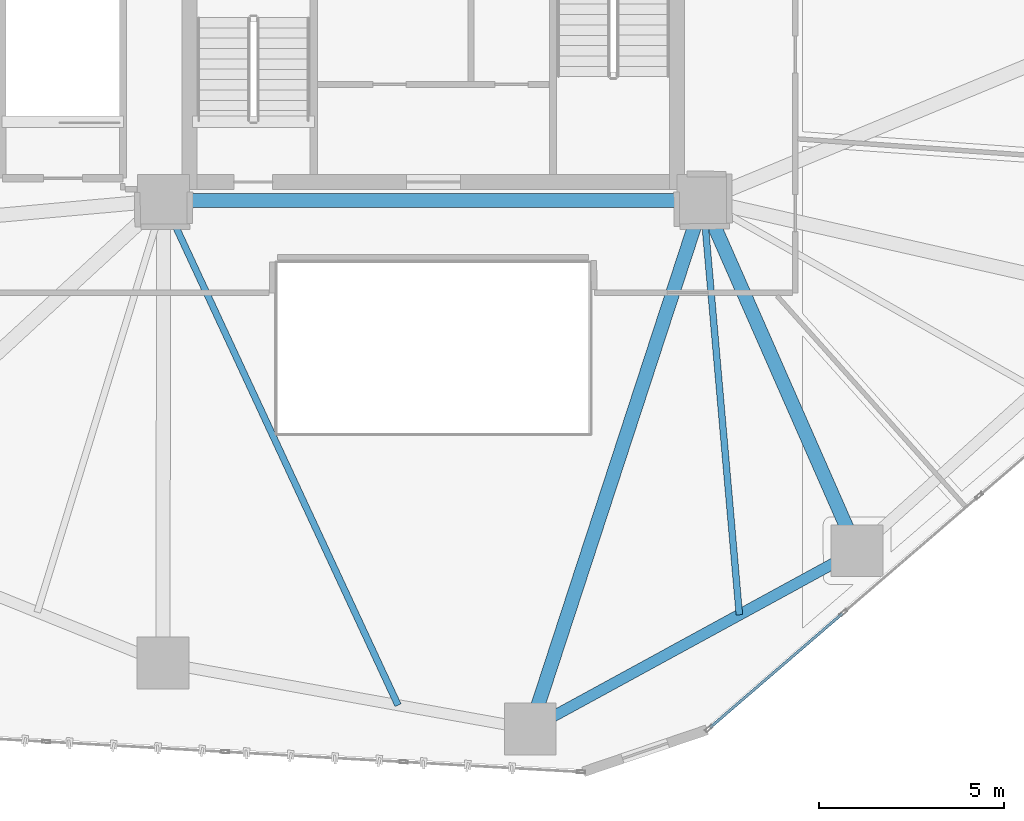
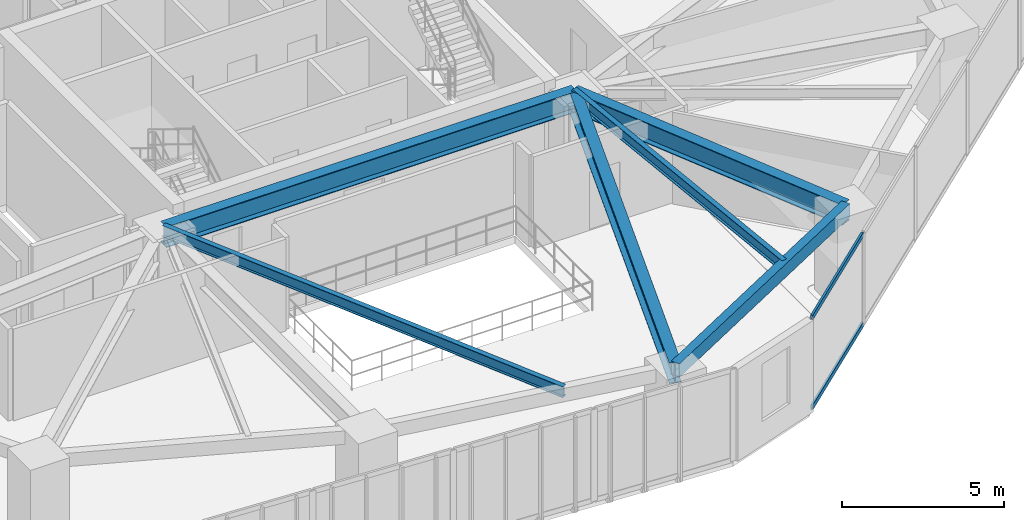
# One storey, part 6 of 24: 6 beams, 2 members, 1 element without a shape of its own.
"""IFC4 building model written with IfcOpenShell, lengths in metres."""

from ifc_helpers import new_model, si_unit, direction, frame, origin, origin_2d, place, context, subcontext, project, spatial, hollow_rectangle, i_section, extrude, source, transform, mapped, material, layer, layer_set, material_profile, profile_set, type_object, type_shapes, element, aggregate, save


model = new_model("IFC4")

# Units and contexts
model_context = context("Model", 3, precision=1e-05, world=origin(), true_north=direction((0.0, 1.0)))
body_context = subcontext(model_context, "Body", "Model", "MODEL_VIEW")
ifc_project = project(units=[si_unit("LENGTHUNIT", "METRE"), si_unit("AREAUNIT", "SQUARE_METRE"), si_unit("VOLUMEUNIT", "CUBIC_METRE"), si_unit("PLANEANGLEUNIT", "RADIAN"), si_unit("MASSUNIT", "GRAM", prefix="KILO")], contexts=[model_context])

# Site, building, storey
site_placement = place(None, origin())
site = spatial("IfcSite", under=ifc_project, at=site_placement, CompositionType="ELEMENT")
building_placement = place(site_placement, origin())
building = spatial("IfcBuilding", under=site, at=building_placement, Name="Talar Marvaseh", CompositionType="ELEMENT")
storey_placement = place(building_placement, frame((0.0, 0.0, 81.0)))
storey = spatial("IfcBuildingStorey", under=building, at=storey_placement, Name="L20", CompositionType="ELEMENT", Elevation=81.0)

# Beams
ifc_material_1 = material(Name="Steel S355", Category="steel")
ifc_material_profile_1 = material_profile(ifc_material_1, hollow_rectangle(XDim=0.300048828125, YDim=0.5, WallThickness=0.02001953125, at=origin_2d()), Name="RHS500x300x20")
ifc_profile_set_1 = profile_set([ifc_material_profile_1], Name="Steel S355")
beam_type_1 = type_object("IfcBeamType", Name="Zone 1 Perimeter Spandrel Beam RHS500x300x20", PredefinedType="SPANDREL", material=ifc_profile_set_1)
beam_1_placement = place(storey_placement, frame((37.468017578125, 16.02099609375, 3.199951171875), z_axis=(-0.877792749602, -0.47904059196, 0.0), x_axis=(0.47904059196, -0.877792749602, 0.0)))
element("IfcBeam", 1, at=beam_1_placement, inside=storey, type_object=beam_type_1, Name="L20 Zone 1 Perimeter Spandrel Beam RHS500x300x20", PredefinedType="SPANDREL", context=body_context, shape_type="SweptSolid", body=[
    extrude(hollow_rectangle(XDim=0.300048828125, YDim=0.5, WallThickness=0.02001953125, at=origin_2d()), origin(), (0.0, 0.0, 1.0), 10.07421875),
])
ifc_material_profile_2 = material_profile(ifc_material_1, i_section(OverallWidth=0.381103515625, OverallDepth=0.77294921875, WebThickness=0.0166015625, FlangeThickness=0.027099609375, at=origin_2d()), Name="W760x257")
ifc_profile_set_2 = profile_set([ifc_material_profile_2], Name="Steel S355")
beam_type_2 = type_object("IfcBeamType", Name="Zone 1 Radial Floor Girder W760x257", PredefinedType="BEAM", material=ifc_profile_set_2)
beam_2_placement = place(storey_placement, frame((18.699951171875, 25.5, 3.0634765625), z_axis=(1.0, 0.0, 0.0), x_axis=(0.0, 1.0, 0.0)))
element("IfcBeam", 2, at=beam_2_placement, inside=storey, type_object=beam_type_2, Name="L20 Zone 1 Radial Floor Girder W760x257", PredefinedType="BEAM", context=body_context, shape_type="SweptSolid", body=[
    extrude(i_section(OverallWidth=0.381103515625, OverallDepth=0.77294921875, WebThickness=0.0166015625, FlangeThickness=0.027099609375, at=origin_2d()), origin(), (0.0, 0.0, 1.0), 14.60009765625),
])
beam_3_placement = place(storey_placement, frame((37.468017578125, 16.02099609375, 3.0634765625), z_axis=(-0.402512625991, 0.915414433969, 0.0), x_axis=(-0.915414433969, -0.402512625991, 0.0)))
element("IfcBeam", 3, at=beam_3_placement, inside=storey, type_object=beam_type_2, Name="L20 Zone 1 Radial Floor Girder W760x257", PredefinedType="BEAM", context=body_context, shape_type="SweptSolid", body=[
    extrude(i_section(OverallWidth=0.381103515625, OverallDepth=0.77294921875, WebThickness=0.0166015625, FlangeThickness=0.027099609375, at=origin_2d()), origin(), (0.0, 0.0, 1.0), 10.35498046875),
])
beam_4_placement = place(storey_placement, frame((28.625, 11.195068359375, 3.0634765625), z_axis=(0.310644999422, 0.950526004028, 0.0), x_axis=(-0.950526004028, 0.310644999422, 0.0)))
element("IfcBeam", 4, at=beam_4_placement, inside=storey, type_object=beam_type_2, Name="L20 Zone 1 Radial Floor Girder W760x257", PredefinedType="BEAM", context=body_context, shape_type="SweptSolid", body=[
    extrude(i_section(OverallWidth=0.381103515625, OverallDepth=0.77294921875, WebThickness=0.0166015625, FlangeThickness=0.027099609375, at=origin_2d()), origin(), (0.0, 0.0, 1.0), 15.049560546875),
])
ifc_material_profile_3 = material_profile(ifc_material_1, i_section(OverallWidth=0.179931640625, OverallDepth=0.4130859375, WebThickness=0.009765625, FlangeThickness=0.01611328125, at=origin_2d()), Name="W410x75")
ifc_profile_set_3 = profile_set([ifc_material_profile_3], Name="Steel S355")
beam_type_3 = type_object("IfcBeamType", Name="Zone 1 Secondary Floor Joist W410x75", PredefinedType="JOIST", material=ifc_profile_set_3)
beam_5_placement = place(storey_placement, frame((34.284423828125, 14.28369140625, 3.243408203125), z_axis=(-0.08742678295, 0.996170947992, 0.0), x_axis=(-0.996170947992, -0.08742678295, 0.0)))
element("IfcBeam", 5, at=beam_5_placement, inside=storey, type_object=beam_type_3, Name="L20 Zone 1 Secondary Floor Joist W410x75", PredefinedType="JOIST", context=body_context, shape_type="SweptSolid", body=[
    extrude(i_section(OverallWidth=0.179931640625, OverallDepth=0.4130859375, WebThickness=0.009765625, FlangeThickness=0.01611328125, at=origin_2d()), origin(), (0.0, 0.0, 1.0), 11.259521484375),
])
beam_6_placement = place(storey_placement, frame((25.0458984375, 11.837158203125, 3.243408203125), z_axis=(-0.421247005042, 0.906945952493, 0.0), x_axis=(-0.906945952493, -0.421247005042, 0.0)))
element("IfcBeam", 6, at=beam_6_placement, inside=storey, type_object=beam_type_3, Name="L20 Zone 1 Secondary Floor Joist W410x75", PredefinedType="JOIST", context=body_context, shape_type="SweptSolid", body=[
    extrude(i_section(OverallWidth=0.179931640625, OverallDepth=0.4130859375, WebThickness=0.009765625, FlangeThickness=0.01611328125, at=origin_2d()), origin(), (0.0, 0.0, 1.0), 15.064697265625),
])

# Curtain wall, members
ifc_material_2 = material(Name="Architectural Aluminium", Category="aluminium")
ifc_layer = layer(ifc_material_2, 0.219970703125)
ifc_layer_set = layer_set([ifc_layer], Name="Architectural Aluminium")
curtain_wall_type = type_object("IfcCurtainWallType", Name="Unitised Low-E Museum Curtain Wall Z1", PredefinedType="NOTDEFINED", material=ifc_layer_set)
curtain_wall_placement = place(storey_placement, origin())
curtain_wall = element("IfcCurtainWall", 7, at=curtain_wall_placement, inside=storey, type_object=curtain_wall_type, Name="L20 Unitised Low-E Museum Curtain Wall Z1", PredefinedType="NOTDEFINED")
ifc_material_profile_4 = material_profile(ifc_material_2, hollow_rectangle(XDim=0.074951171875, YDim=0.179931640625, WallThickness=0.0048828125, at=origin_2d()), Name="RHS180x75x5")
ifc_profile_set_4 = profile_set([ifc_material_profile_4], Name="Architectural Aluminium")
member_type = type_object("IfcMemberType", Name="Unitised Curtain Wall Transom RHS180x75x5", PredefinedType="USERDEFINED", material=ifc_profile_set_4)
shared_shape = source(origin(), body_context, "Body", "SweptSolid", [
    extrude(hollow_rectangle(XDim=0.074951171875, YDim=0.179931640625, WallThickness=0.0048828125, at=origin_2d()), origin(), (0.0, 0.0, 1.0), 4.725341796875),
])
type_shapes(member_type, [shared_shape])
member_1_placement = place(storey_placement, frame((37.0712890625, 14.31689453125, 0.03759765625), z_axis=(-0.757649567996, -0.652661575486, 0.0), x_axis=(0.652661575486, -0.757649567996, 0.0)))
member_1 = element("IfcMember", 8, at=member_1_placement, type_object=member_type, Name="CW-Z1 transom 5.1", ObjectType="TRANSOM", PredefinedType="USERDEFINED", context=body_context, shape_type="MappedRepresentation", body=[
    mapped(shared_shape, transform((0.0, 0.0, 0.0), x_axis=(1.0, 0.0, 0.0), y_axis=(0.0, 1.0, 0.0), z_axis=(0.0, 0.0, 1.0), scale=1.0)),
])
member_2_placement = place(storey_placement, frame((37.0712890625, 14.31689453125, 3.41259765625), z_axis=(-0.757649567996, -0.652661575486, 0.0), x_axis=(0.652661575486, -0.757649567996, 0.0)))
member_2 = element("IfcMember", 9, at=member_2_placement, type_object=member_type, Name="CW-Z1 transom 5.2", ObjectType="TRANSOM", PredefinedType="USERDEFINED", context=body_context, shape_type="MappedRepresentation", body=[
    mapped(shared_shape, transform((0.0, 0.0, 0.0), x_axis=(1.0, 0.0, 0.0), y_axis=(0.0, 1.0, 0.0), z_axis=(0.0, 0.0, 1.0), scale=1.0)),
])
aggregate(curtain_wall, [member_1, member_2])

save(model, "model.ifc")
